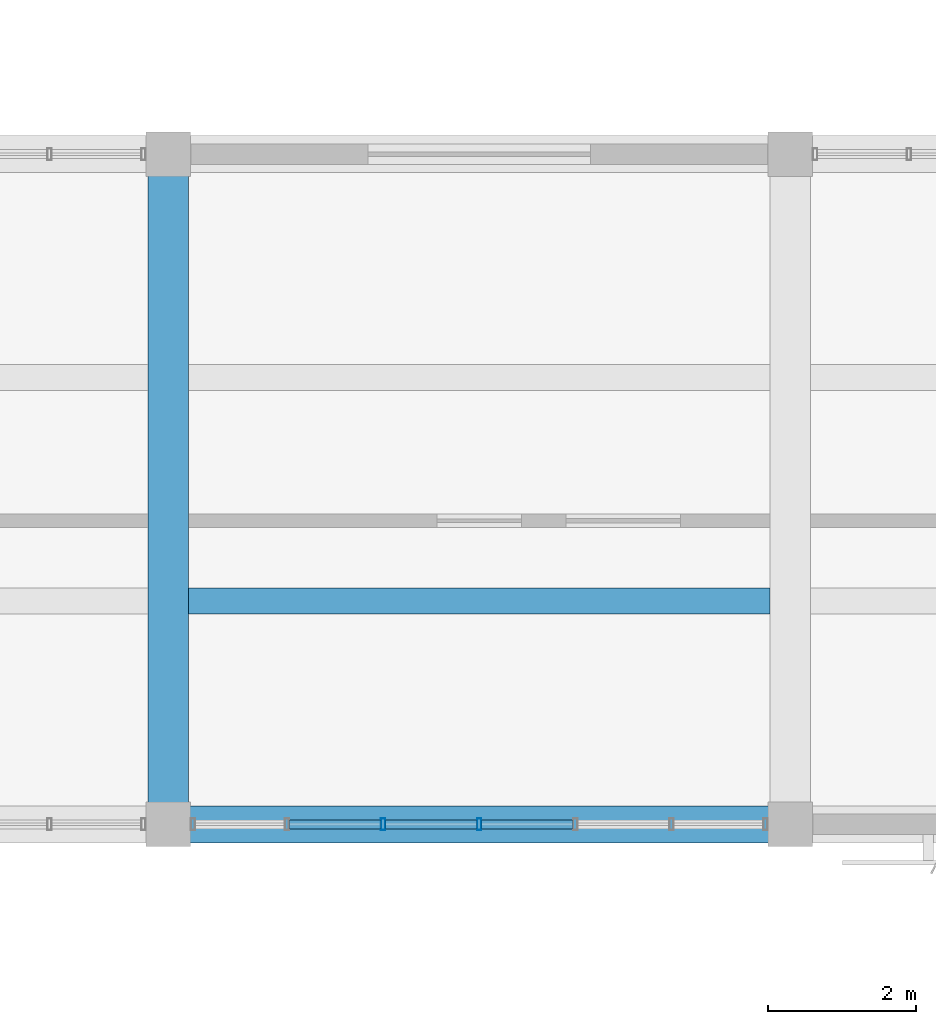
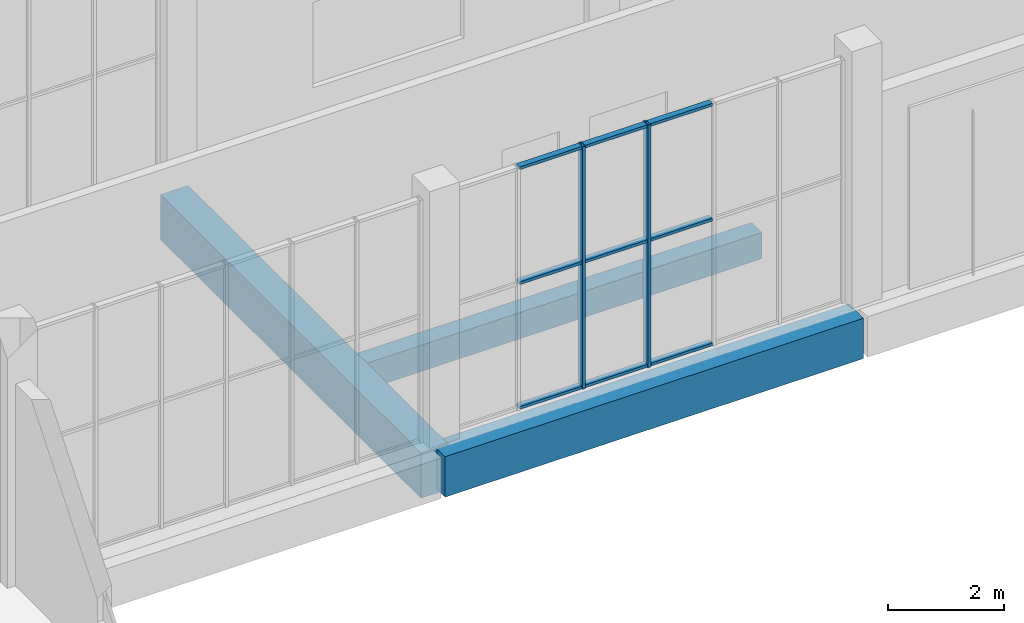
# One storey, part 58 of 132: 11 members, 3 beams, 1 element without a shape of its own.
"""IFC4 building model written with IfcOpenShell, lengths in metres."""

from ifc_helpers import new_model, si_unit, direction, frame, origin, origin_2d, place, context, subcontext, project, spatial, rectangle, hollow_rectangle, extrude, material, material_profile, profile_set, type_object, element, aggregate, save


model = new_model("IFC4")

# Units and contexts
model_context = context("Model", 3, precision=1e-05, world=origin(), true_north=direction((0.0, 1.0)))
body_context = subcontext(model_context, "Body", "Model", "MODEL_VIEW")
ifc_project = project(units=[si_unit("LENGTHUNIT", "METRE"), si_unit("AREAUNIT", "SQUARE_METRE"), si_unit("VOLUMEUNIT", "CUBIC_METRE"), si_unit("PLANEANGLEUNIT", "RADIAN"), si_unit("MASSUNIT", "GRAM", prefix="KILO")], contexts=[model_context])

# Site, building, storey
site_placement = place(None, origin())
site = spatial("IfcSite", under=ifc_project, at=site_placement, CompositionType="ELEMENT")
building_placement = place(site_placement, origin())
building = spatial("IfcBuilding", under=site, at=building_placement, Name="Khurvash Pelagic Aquarium", CompositionType="ELEMENT")
storey_placement = place(building_placement, frame((0.0, 0.0, 5.39990234375)))
storey = spatial("IfcBuildingStorey", under=building, at=storey_placement, Name="L01", CompositionType="ELEMENT", Elevation=5.39990234375)

# Beam
ifc_material_1 = material(Name="Concrete C40/50", Category="concrete")
ifc_material_profile_1 = material_profile(ifc_material_1, rectangle(XDim=0.550048828125, YDim=0.949951171875, at=origin_2d()), Name="RC550X950")
ifc_profile_set_1 = profile_set([ifc_material_profile_1], Name="Concrete C40/50")
beam_type_1 = type_object("IfcBeamType", Name="BM-02", PredefinedType="BEAM", material=ifc_profile_set_1)
beam_1_placement = place(storey_placement, frame((42.0, 93.139892578125, -0.784912109375), z_axis=(0.0, 1.0, 0.0), x_axis=(-1.0, 0.0, 0.0)))
element("IfcBeam", 1, at=beam_1_placement, inside=storey, type_object=beam_type_1, Name="L01 Primary Girder BM-02 00383", PredefinedType="BEAM", context=body_context, shape_type="SweptSolid", body=[
    extrude(rectangle(XDim=0.550048828125, YDim=0.949951171875, at=origin_2d()), origin(), (0.0, 0.0, 1.0), 8.97021484375),
])

# Curtain wall, members
ifc_material_2 = material(Name="Anodised aluminium and low-E laminated glass", Category="aluminium")
curtain_wall_type = type_object("IfcCurtainWallType", Name="CW-05", PredefinedType="USERDEFINED", material=ifc_material_2)
curtain_wall_placement = place(storey_placement, origin())
curtain_wall = element("IfcCurtainWall", 2, at=curtain_wall_placement, inside=storey, type_object=curtain_wall_type, Name="L01 Facade Unitised Curtain Wall CW-05 0135", ObjectType="UNITISED CURTAIN WALL", PredefinedType="USERDEFINED")
ifc_material_3 = material(Name="Extruded aluminium AW-6063-T6", Category="aluminium")
ifc_material_profile_2 = material_profile(ifc_material_3, hollow_rectangle(XDim=0.06005859375, YDim=0.159912109375, WallThickness=0.00390625, at=origin_2d()), Name="CWM60X160X4")
ifc_profile_set_2 = profile_set([ifc_material_profile_2], Name="Extruded aluminium AW-6063-T6")
member_type_1 = type_object("IfcMemberType", Name="CM-02", PredefinedType="MULLION", material=ifc_profile_set_2)
member_1_placement = place(storey_placement, frame((44.901611328125, 93.10009765625, 0.0), z_axis=(0.0, 0.0, 1.0), x_axis=(1.0, 0.0, 0.0)))
member_1 = element("IfcMember", 3, at=member_1_placement, type_object=member_type_1, Name="CW-05 mullion 3", PredefinedType="MULLION", context=body_context, shape_type="SweptSolid", body=[
    extrude(hollow_rectangle(XDim=0.06005859375, YDim=0.159912109375, WallThickness=0.00390625, at=origin_2d()), origin(), (0.0, 0.0, 1.0), 5.10009765625),
])
member_2_placement = place(storey_placement, frame((46.199951171875, 93.10009765625, 0.0), z_axis=(0.0, 0.0, 1.0), x_axis=(1.0, 0.0, 0.0)))
member_2 = element("IfcMember", 4, at=member_2_placement, type_object=member_type_1, Name="CW-05 mullion 4", PredefinedType="MULLION", context=body_context, shape_type="SweptSolid", body=[
    extrude(hollow_rectangle(XDim=0.06005859375, YDim=0.159912109375, WallThickness=0.00390625, at=origin_2d()), origin(), (0.0, 0.0, 1.0), 5.10009765625),
])
ifc_material_profile_3 = material_profile(ifc_material_3, hollow_rectangle(XDim=0.1201171875, YDim=0.06005859375, WallThickness=0.00390625, at=origin_2d()), Name="CWT120X60X4")
ifc_profile_set_3 = profile_set([ifc_material_profile_3], Name="Extruded aluminium AW-6063-T6")
member_type_2 = type_object("IfcMemberType", Name="CT-02", PredefinedType="USERDEFINED", material=ifc_profile_set_3)
member_3_placement = place(storey_placement, frame((43.63330078125, 93.10009765625, 0.030029296875), z_axis=(1.0, 0.0, 0.0), x_axis=(0.0, 1.0, 0.0)))
member_3 = element("IfcMember", 5, at=member_3_placement, type_object=member_type_2, Name="CW-05 transom 2.1", ObjectType="TRANSOM", PredefinedType="USERDEFINED", context=body_context, shape_type="SweptSolid", body=[
    extrude(hollow_rectangle(XDim=0.1201171875, YDim=0.06005859375, WallThickness=0.00390625, at=origin_2d()), origin(), (0.0, 0.0, 1.0), 1.23828125),
])
member_4_placement = place(storey_placement, frame((43.63330078125, 93.10009765625, 2.652099609375), z_axis=(1.0, 0.0, 0.0), x_axis=(0.0, 1.0, 0.0)))
member_4 = element("IfcMember", 6, at=member_4_placement, type_object=member_type_2, Name="CW-05 transom 2.2", ObjectType="TRANSOM", PredefinedType="USERDEFINED", context=body_context, shape_type="SweptSolid", body=[
    extrude(hollow_rectangle(XDim=0.1201171875, YDim=0.06005859375, WallThickness=0.00390625, at=origin_2d()), origin(), (0.0, 0.0, 1.0), 1.23828125),
])
member_5_placement = place(storey_placement, frame((43.63330078125, 93.10009765625, 5.070068359375), z_axis=(1.0, 0.0, 0.0), x_axis=(0.0, 1.0, 0.0)))
member_5 = element("IfcMember", 7, at=member_5_placement, type_object=member_type_2, Name="CW-05 transom 2.3", ObjectType="TRANSOM", PredefinedType="USERDEFINED", context=body_context, shape_type="SweptSolid", body=[
    extrude(hollow_rectangle(XDim=0.1201171875, YDim=0.06005859375, WallThickness=0.00390625, at=origin_2d()), origin(), (0.0, 0.0, 1.0), 1.23828125),
])
member_6_placement = place(storey_placement, frame((44.931640625, 93.10009765625, 0.030029296875), z_axis=(1.0, 0.0, 0.0), x_axis=(0.0, 1.0, 0.0)))
member_6 = element("IfcMember", 8, at=member_6_placement, type_object=member_type_2, Name="CW-05 transom 3.1", ObjectType="TRANSOM", PredefinedType="USERDEFINED", context=body_context, shape_type="SweptSolid", body=[
    extrude(hollow_rectangle(XDim=0.1201171875, YDim=0.06005859375, WallThickness=0.00390625, at=origin_2d()), origin(), (0.0, 0.0, 1.0), 1.23828125),
])
member_7_placement = place(storey_placement, frame((44.931640625, 93.10009765625, 2.652099609375), z_axis=(1.0, 0.0, 0.0), x_axis=(0.0, 1.0, 0.0)))
member_7 = element("IfcMember", 9, at=member_7_placement, type_object=member_type_2, Name="CW-05 transom 3.2", ObjectType="TRANSOM", PredefinedType="USERDEFINED", context=body_context, shape_type="SweptSolid", body=[
    extrude(hollow_rectangle(XDim=0.1201171875, YDim=0.06005859375, WallThickness=0.00390625, at=origin_2d()), origin(), (0.0, 0.0, 1.0), 1.23828125),
])
member_8_placement = place(storey_placement, frame((44.931640625, 93.10009765625, 5.070068359375), z_axis=(1.0, 0.0, 0.0), x_axis=(0.0, 1.0, 0.0)))
member_8 = element("IfcMember", 10, at=member_8_placement, type_object=member_type_2, Name="CW-05 transom 3.3", ObjectType="TRANSOM", PredefinedType="USERDEFINED", context=body_context, shape_type="SweptSolid", body=[
    extrude(hollow_rectangle(XDim=0.1201171875, YDim=0.06005859375, WallThickness=0.00390625, at=origin_2d()), origin(), (0.0, 0.0, 1.0), 1.23828125),
])
member_9_placement = place(storey_placement, frame((46.22998046875, 93.10009765625, 0.030029296875), z_axis=(1.0, 0.0, 0.0), x_axis=(0.0, 1.0, 0.0)))
member_9 = element("IfcMember", 11, at=member_9_placement, type_object=member_type_2, Name="CW-05 transom 4.1", ObjectType="TRANSOM", PredefinedType="USERDEFINED", context=body_context, shape_type="SweptSolid", body=[
    extrude(hollow_rectangle(XDim=0.1201171875, YDim=0.06005859375, WallThickness=0.00390625, at=origin_2d()), origin(), (0.0, 0.0, 1.0), 1.23828125),
])
member_10_placement = place(storey_placement, frame((46.22998046875, 93.10009765625, 2.652099609375), z_axis=(1.0, 0.0, 0.0), x_axis=(0.0, 1.0, 0.0)))
member_10 = element("IfcMember", 12, at=member_10_placement, type_object=member_type_2, Name="CW-05 transom 4.2", ObjectType="TRANSOM", PredefinedType="USERDEFINED", context=body_context, shape_type="SweptSolid", body=[
    extrude(hollow_rectangle(XDim=0.1201171875, YDim=0.06005859375, WallThickness=0.00390625, at=origin_2d()), origin(), (0.0, 0.0, 1.0), 1.23828125),
])
member_11_placement = place(storey_placement, frame((46.22998046875, 93.10009765625, 5.070068359375), z_axis=(1.0, 0.0, 0.0), x_axis=(0.0, 1.0, 0.0)))
member_11 = element("IfcMember", 13, at=member_11_placement, type_object=member_type_2, Name="CW-05 transom 4.3", ObjectType="TRANSOM", PredefinedType="USERDEFINED", context=body_context, shape_type="SweptSolid", body=[
    extrude(hollow_rectangle(XDim=0.1201171875, YDim=0.06005859375, WallThickness=0.00390625, at=origin_2d()), origin(), (0.0, 0.0, 1.0), 1.23828125),
])
aggregate(curtain_wall, [member_1, member_2, member_3, member_4, member_5, member_6, member_7, member_8, member_9, member_10, member_11])

# Beams
ifc_material_4 = material(Name="Concrete C35/45", Category="concrete")
ifc_material_profile_4 = material_profile(ifc_material_4, rectangle(XDim=0.35009765625, YDim=0.550048828125, at=origin_2d()), Name="RC350X550")
ifc_profile_set_4 = profile_set([ifc_material_profile_4], Name="Concrete C35/45")
beam_type_2 = type_object("IfcBeamType", Name="JS-01", PredefinedType="JOIST", material=ifc_profile_set_4)
beam_2_placement = place(storey_placement, frame((42.27490234375, 96.116943359375, -0.5849609375), z_axis=(1.0, 0.0, 0.0), x_axis=(0.0, 1.0, 0.0)))
element("IfcBeam", 14, at=beam_2_placement, inside=storey, type_object=beam_type_2, Name="L01 Floor Joist JS-01 00490", PredefinedType="JOIST", context=body_context, shape_type="SweptSolid", body=[
    extrude(rectangle(XDim=0.35009765625, YDim=0.550048828125, at=origin_2d()), origin(), (0.0, 0.0, 1.0), 7.85009765625),
])
ifc_material_profile_5 = material_profile(ifc_material_1, rectangle(XDim=0.5, YDim=0.85009765625, at=origin_2d()), Name="RC500X850")
ifc_profile_set_5 = profile_set([ifc_material_profile_5], Name="Concrete C40/50")
beam_type_3 = type_object("IfcBeamType", Name="SEB-03", PredefinedType="SPANDREL", material=ifc_profile_set_5)
beam_3_placement = place(storey_placement, frame((42.0400390625, 93.10009765625, -0.744873046875), z_axis=(1.0, 0.0, 0.0), x_axis=(0.0, 1.0, 0.0)))
element("IfcBeam", 15, at=beam_3_placement, inside=storey, type_object=beam_type_3, Name="L01 Primary Girder SEB-03 00328", PredefinedType="SPANDREL", context=body_context, shape_type="SweptSolid", body=[
    extrude(rectangle(XDim=0.5, YDim=0.85009765625, at=origin_2d()), origin(), (0.0, 0.0, 1.0), 8.320068359375),
])

save(model, "model.ifc")
